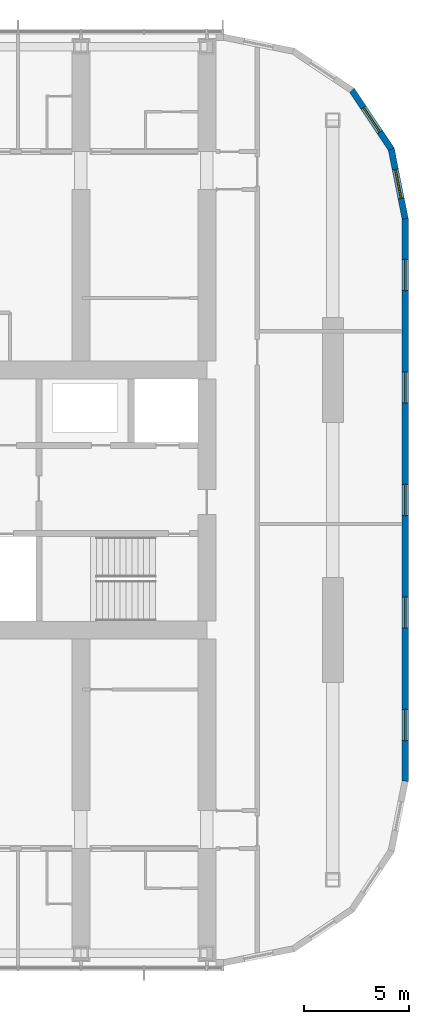
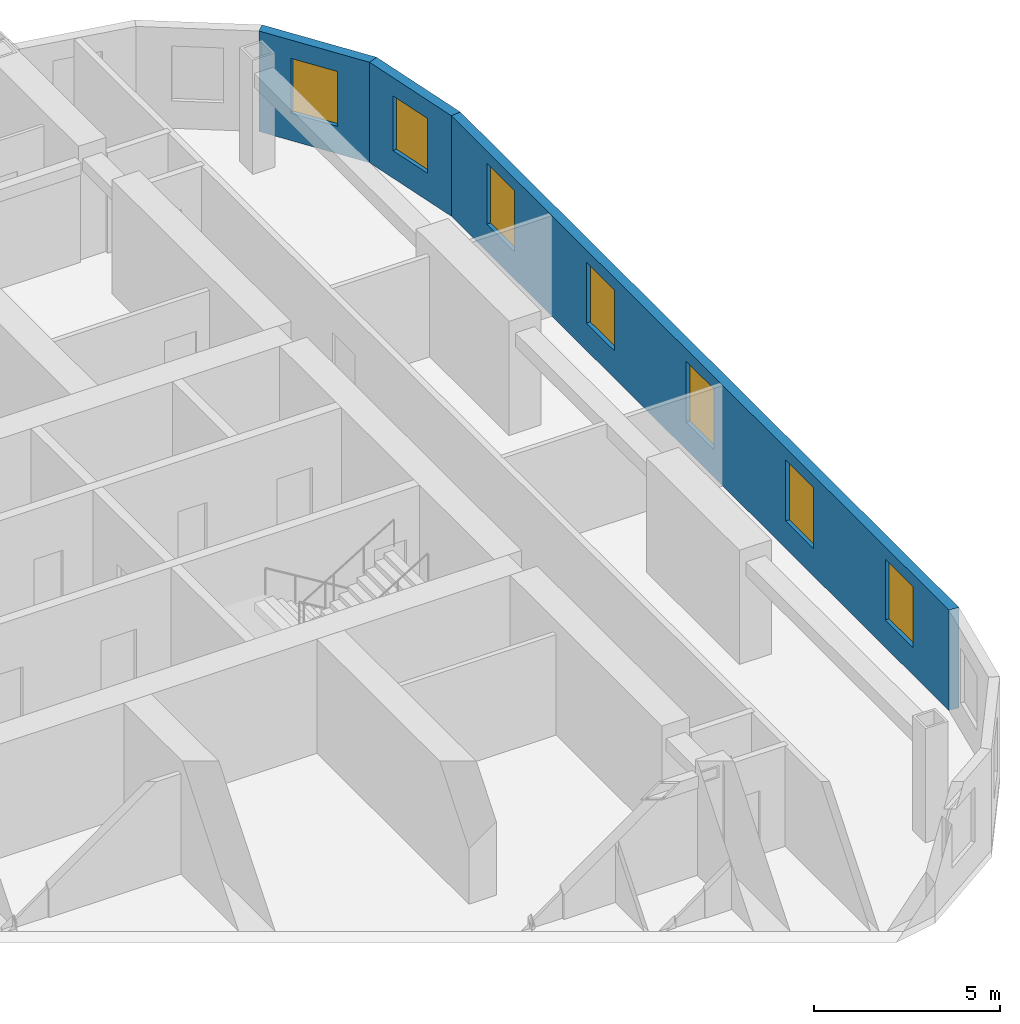
# One storey, part 17 of 22: 7 windows, 3 walls, 7 openings.
"""IFC4 building model written with IfcOpenShell, lengths in metres."""

from ifc_helpers import new_model, si_unit, direction, frame, frame_2d, origin, place, context, subcontext, project, spatial, polyline, rectangle, outline, extrude, material, layer, layer_set, type_object, element, fill, save


model = new_model("IFC4")

# Units and contexts
model_context = context("Model", 3, precision=1e-05, world=origin(), true_north=direction((0.0, 1.0)))
body_context = subcontext(model_context, "Body", "Model", "MODEL_VIEW")
ifc_project = project(units=[si_unit("LENGTHUNIT", "METRE"), si_unit("AREAUNIT", "SQUARE_METRE"), si_unit("VOLUMEUNIT", "CUBIC_METRE"), si_unit("PLANEANGLEUNIT", "RADIAN"), si_unit("MASSUNIT", "GRAM", prefix="KILO")], contexts=[model_context])

# Site, building, storey
site_placement = place(None, origin())
site = spatial("IfcSite", under=ifc_project, at=site_placement, CompositionType="ELEMENT")
building_placement = place(site_placement, origin())
building = spatial("IfcBuilding", under=site, at=building_placement, Name="Orbita Commons", CompositionType="ELEMENT")
storey_placement = place(building_placement, frame((0.0, 0.0, 189.85009765625)))
storey = spatial("IfcBuildingStorey", under=building, at=storey_placement, Name="L47", CompositionType="ELEMENT", Elevation=189.85009765625)

# Wall, openings, windows
ifc_material_1 = material(Name="Precast concrete C40/50, white board-marked finish", Category="concrete")
ifc_layer = layer(ifc_material_1, 0.300048828125)
ifc_layer_set = layer_set([ifc_layer], Name="Precast concrete C40/50, white board-marked finish")
wall_type = type_object("IfcWallType", Name="Precast concrete end shield 300", PredefinedType="SOLIDWALL", material=ifc_layer_set)
wall_1_placement = place(storey_placement, frame((75.449951171875, 18.60009765625, 0.0), z_axis=(0.0, 0.0, 1.0), x_axis=(0.0, 1.0, 0.0)))
wall_1 = element("IfcWall", 1, at=wall_1_placement, inside=storey, type_object=wall_type, Name="End shield E L47", PredefinedType="SOLIDWALL", context=body_context, shape_type="SweptSolid", body=[
    extrude(outline(polyline([(-0.014892578125, -0.14990234375), (26.814697265625, -0.14990234375), (26.784912109375, 0.14990234375), (0.014892578125, 0.14990234375), (-0.014892578125, -0.14990234375)])), origin(), (0.0, 0.0, 1.0), 3.2998046875),
])
opening_1_placement = place(wall_1_placement, frame((1.929931640625, 0.0, 0.89990234375)))
opening_1 = element("IfcOpeningElement", 2, at=opening_1_placement, cuts=wall_1, Name="Opening W01", PredefinedType="OPENING", context=body_context, shape_type="SweptSolid", body=[
    extrude(rectangle(XDim=1.5, YDim=2.0, at=frame_2d((0.75, 1.0))), frame((0.0, 0.159912109375, 0.0), z_axis=(0.0, -1.0, 0.0), x_axis=(1.0, 0.0, 0.0)), (0.0, 0.0, 1.0), 0.320068359375),
])
opening_2_placement = place(wall_1_placement, frame((7.2900390625, 0.0, 0.89990234375)))
opening_2 = element("IfcOpeningElement", 3, at=opening_2_placement, cuts=wall_1, Name="Opening W01", PredefinedType="OPENING", context=body_context, shape_type="SweptSolid", body=[
    extrude(rectangle(XDim=1.5, YDim=2.0, at=frame_2d((0.75, 1.0))), frame((0.0, 0.159912109375, 0.0), z_axis=(0.0, -1.0, 0.0), x_axis=(1.0, 0.0, 0.0)), (0.0, 0.0, 1.0), 0.320068359375),
])
opening_3_placement = place(wall_1_placement, frame((12.64990234375, 0.0, 0.89990234375)))
opening_3 = element("IfcOpeningElement", 4, at=opening_3_placement, cuts=wall_1, Name="Opening W01", PredefinedType="OPENING", context=body_context, shape_type="SweptSolid", body=[
    extrude(rectangle(XDim=1.5, YDim=2.0, at=frame_2d((0.75, 1.0))), frame((0.0, 0.159912109375, 0.0), z_axis=(0.0, -1.0, 0.0), x_axis=(1.0, 0.0, 0.0)), (0.0, 0.0, 1.0), 0.320068359375),
])
opening_4_placement = place(wall_1_placement, frame((18.010009765625, 0.0, 0.89990234375)))
opening_4 = element("IfcOpeningElement", 5, at=opening_4_placement, cuts=wall_1, Name="Opening W01", PredefinedType="OPENING", context=body_context, shape_type="SweptSolid", body=[
    extrude(rectangle(XDim=1.5, YDim=2.0, at=frame_2d((0.75, 1.0))), frame((0.0, 0.159912109375, 0.0), z_axis=(0.0, -1.0, 0.0), x_axis=(1.0, 0.0, 0.0)), (0.0, 0.0, 1.0), 0.320068359375),
])
opening_5_placement = place(wall_1_placement, frame((23.3701171875, 0.0, 0.89990234375)))
opening_5 = element("IfcOpeningElement", 6, at=opening_5_placement, cuts=wall_1, Name="Opening W01", PredefinedType="OPENING", context=body_context, shape_type="SweptSolid", body=[
    extrude(rectangle(XDim=1.5, YDim=2.0, at=frame_2d((0.75, 1.0))), frame((0.0, 0.159912109375, 0.0), z_axis=(0.0, -1.0, 0.0), x_axis=(1.0, 0.0, 0.0)), (0.0, 0.0, 1.0), 0.320068359375),
])
ifc_material_2 = material(Name="Aluminium frame, clear double glazing", Category="aluminium")
window_type_1 = type_object("IfcWindowType", Name="Deep-set window 1500x2000", PartitioningType="SINGLE_PANEL", PredefinedType="WINDOW", material=ifc_material_2)
window_1_placement = place(opening_1_placement, origin())
window_1 = element("IfcWindow", 7, at=window_1_placement, inside=storey, type_object=window_type_1, Name="Window L47-E 1", OverallHeight=2.0, OverallWidth=1.5, PartitioningType="SINGLE_PANEL", PredefinedType="WINDOW", context=body_context, shape_type="SweptSolid", body=[
    extrude(rectangle(XDim=1.5, YDim=2.0, at=frame_2d((0.75, 1.0))), frame((0.0, 0.030029296875, 0.0), z_axis=(0.0, -1.0, 0.0), x_axis=(1.0, 0.0, 0.0)), (0.0, 0.0, 1.0), 0.06005859375),
])
fill(opening_1, window_1)
window_2_placement = place(opening_2_placement, origin())
window_2 = element("IfcWindow", 8, at=window_2_placement, inside=storey, type_object=window_type_1, Name="Window L47-E 2", OverallHeight=2.0, OverallWidth=1.5, PartitioningType="SINGLE_PANEL", PredefinedType="WINDOW", context=body_context, shape_type="SweptSolid", body=[
    extrude(rectangle(XDim=1.5, YDim=2.0, at=frame_2d((0.75, 1.0))), frame((0.0, 0.030029296875, 0.0), z_axis=(0.0, -1.0, 0.0), x_axis=(1.0, 0.0, 0.0)), (0.0, 0.0, 1.0), 0.06005859375),
])
fill(opening_2, window_2)
window_3_placement = place(opening_3_placement, origin())
window_3 = element("IfcWindow", 9, at=window_3_placement, inside=storey, type_object=window_type_1, Name="Window L47-E 3", OverallHeight=2.0, OverallWidth=1.5, PartitioningType="SINGLE_PANEL", PredefinedType="WINDOW", context=body_context, shape_type="SweptSolid", body=[
    extrude(rectangle(XDim=1.5, YDim=2.0, at=frame_2d((0.75, 1.0))), frame((0.0, 0.030029296875, 0.0), z_axis=(0.0, -1.0, 0.0), x_axis=(1.0, 0.0, 0.0)), (0.0, 0.0, 1.0), 0.06005859375),
])
fill(opening_3, window_3)
window_4_placement = place(opening_4_placement, origin())
window_4 = element("IfcWindow", 10, at=window_4_placement, inside=storey, type_object=window_type_1, Name="Window L47-E 4", OverallHeight=2.0, OverallWidth=1.5, PartitioningType="SINGLE_PANEL", PredefinedType="WINDOW", context=body_context, shape_type="SweptSolid", body=[
    extrude(rectangle(XDim=1.5, YDim=2.0, at=frame_2d((0.75, 1.0))), frame((0.0, 0.030029296875, 0.0), z_axis=(0.0, -1.0, 0.0), x_axis=(1.0, 0.0, 0.0)), (0.0, 0.0, 1.0), 0.06005859375),
])
fill(opening_4, window_4)
window_5_placement = place(opening_5_placement, origin())
window_5 = element("IfcWindow", 11, at=window_5_placement, inside=storey, type_object=window_type_1, Name="Window L47-E 5", OverallHeight=2.0, OverallWidth=1.5, PartitioningType="SINGLE_PANEL", PredefinedType="WINDOW", context=body_context, shape_type="SweptSolid", body=[
    extrude(rectangle(XDim=1.5, YDim=2.0, at=frame_2d((0.75, 1.0))), frame((0.0, 0.030029296875, 0.0), z_axis=(0.0, -1.0, 0.0), x_axis=(1.0, 0.0, 0.0)), (0.0, 0.0, 1.0), 0.06005859375),
])
fill(opening_5, window_5)

# Wall, opening, window
wall_2_placement = place(storey_placement, frame((75.449951171875, 45.39990234375, 0.0), z_axis=(0.0, 0.0, 1.0), x_axis=(-0.19508664885, 0.980786011034, 0.0)))
wall_2 = element("IfcWall", 12, at=wall_2_placement, inside=storey, type_object=wall_type, Name="End shield NE chord 1 L47", PredefinedType="SOLIDWALL", context=body_context, shape_type="SweptSolid", body=[
    extrude(outline(polyline([(-0.014892578125, -0.14990234375), (3.405029296875, -0.14990234375), (3.345458984375, 0.14990234375), (0.014892578125, 0.14990234375), (-0.014892578125, -0.14990234375)])), origin(), (0.0, 0.0, 1.0), 3.2998046875),
])
opening_6_placement = place(wall_2_placement, frame((0.987548828125, 0.0, 0.89990234375)))
opening_6 = element("IfcOpeningElement", 13, at=opening_6_placement, cuts=wall_2, Name="Opening W02", PredefinedType="OPENING", context=body_context, shape_type="SweptSolid", body=[
    extrude(rectangle(XDim=1.39990234375, YDim=1.800048828125, at=frame_2d((0.699951171875, 0.89990234375))), frame((0.0, 0.159912109375, 0.0), z_axis=(0.0, -1.0, 0.0), x_axis=(1.0, 0.0, 0.0)), (0.0, 0.0, 1.0), 0.320068359375),
])
ifc_material_3 = material(Name="Aluminium frame, clear double glazing", Category="aluminium")
window_type_2 = type_object("IfcWindowType", Name="Deep-set window 1400x1800", PartitioningType="SINGLE_PANEL", PredefinedType="WINDOW", material=ifc_material_3)
window_6_placement = place(opening_6_placement, origin())
window_6 = element("IfcWindow", 14, at=window_6_placement, inside=storey, type_object=window_type_2, Name="Window L47-NE0", OverallHeight=1.800048828125, OverallWidth=1.39990234375, PartitioningType="SINGLE_PANEL", PredefinedType="WINDOW", context=body_context, shape_type="SweptSolid", body=[
    extrude(rectangle(XDim=1.39990234375, YDim=1.800048828125, at=frame_2d((0.699951171875, 0.89990234375))), frame((0.0, 0.030029296875, 0.0), z_axis=(0.0, -1.0, 0.0), x_axis=(1.0, 0.0, 0.0)), (0.0, 0.0, 1.0), 0.06005859375),
])
fill(opening_6, window_6)

wall_3_placement = place(storey_placement, frame((74.79150390625, 48.710205078125, 0.0), z_axis=(0.0, 0.0, 1.0), x_axis=(-0.555534554399, 0.831493450887, 0.0)))
wall_3 = element("IfcWall", 15, at=wall_3_placement, inside=storey, type_object=wall_type, Name="End shield NE chord 2 L47", PredefinedType="SOLIDWALL", context=body_context, shape_type="SweptSolid", body=[
    extrude(outline(polyline([(-0.02978515625, -0.14990234375), (3.405029296875, -0.14990234375), (3.345458984375, 0.14990234375), (0.02978515625, 0.14990234375), (-0.02978515625, -0.14990234375)])), origin(), (0.0, 0.0, 1.0), 3.2998046875),
])
opening_7_placement = place(wall_3_placement, frame((0.987548828125, 0.0, 0.89990234375)))
opening_7 = element("IfcOpeningElement", 16, at=opening_7_placement, cuts=wall_3, Name="Opening W02", PredefinedType="OPENING", context=body_context, shape_type="SweptSolid", body=[
    extrude(rectangle(XDim=1.39990234375, YDim=1.800048828125, at=frame_2d((0.699951171875, 0.89990234375))), frame((0.0, 0.159912109375, 0.0), z_axis=(0.0, -1.0, 0.0), x_axis=(1.0, 0.0, 0.0)), (0.0, 0.0, 1.0), 0.320068359375),
])
window_7_placement = place(opening_7_placement, origin())
window_7 = element("IfcWindow", 17, at=window_7_placement, inside=storey, type_object=window_type_2, Name="Window L47-NE1", OverallHeight=1.800048828125, OverallWidth=1.39990234375, PartitioningType="SINGLE_PANEL", PredefinedType="WINDOW", context=body_context, shape_type="SweptSolid", body=[
    extrude(rectangle(XDim=1.39990234375, YDim=1.800048828125, at=frame_2d((0.699951171875, 0.89990234375))), frame((0.0, 0.030029296875, 0.0), z_axis=(0.0, -1.0, 0.0), x_axis=(1.0, 0.0, 0.0)), (0.0, 0.0, 1.0), 0.06005859375),
])
fill(opening_7, window_7)

save(model, "model.ifc")
